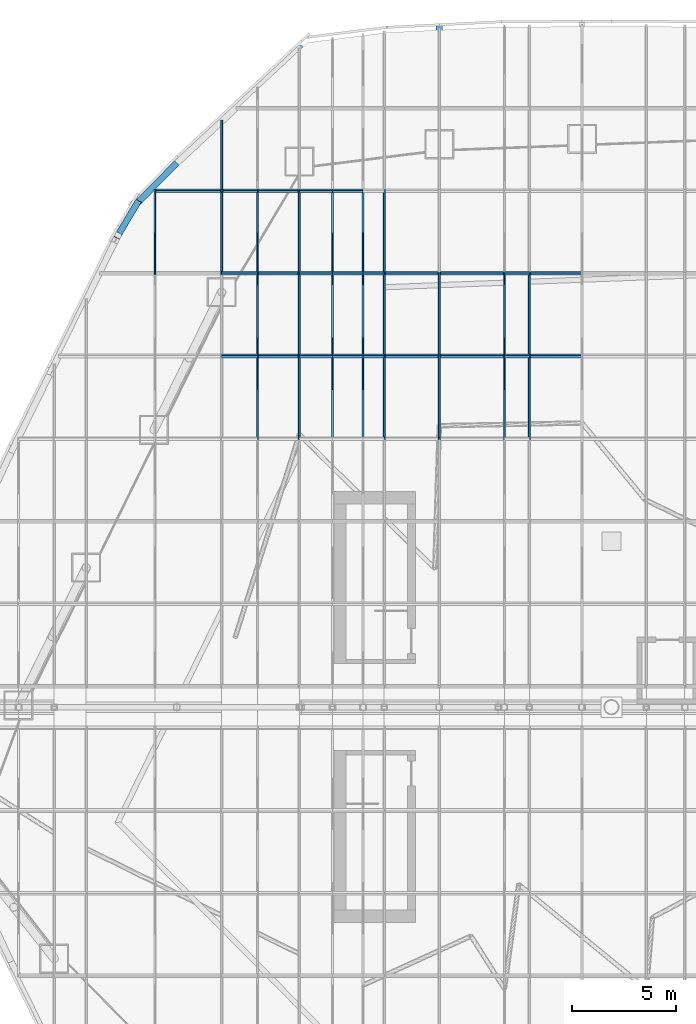
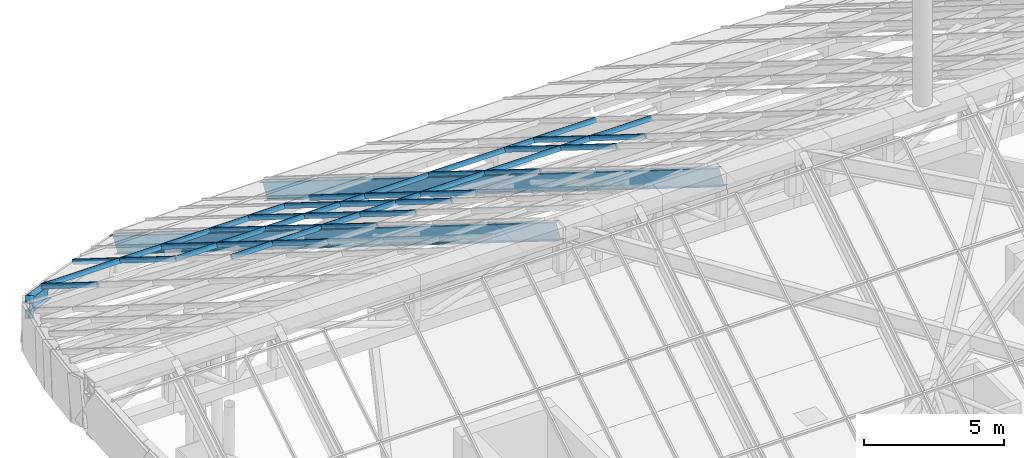
# One storey, part 15 of 38: 51 members, 26 elements without a shape of their own.
"""IFC4 building model written with IfcOpenShell, lengths in metres."""

from ifc_helpers import new_model, si_unit, direction, frame, origin, origin_2d, place, context, subcontext, project, spatial, rectangle, i_section, extrude, material, layer, layer_set, material_profile, profile_set, type_object, element, aggregate, save


model = new_model("IFC4")

# Units and contexts
model_context = context("Model", 3, precision=1e-05, world=origin(), true_north=direction((0.0, 1.0)))
body_context = subcontext(model_context, "Body", "Model", "MODEL_VIEW")
ifc_project = project(units=[si_unit("LENGTHUNIT", "METRE"), si_unit("AREAUNIT", "SQUARE_METRE"), si_unit("VOLUMEUNIT", "CUBIC_METRE"), si_unit("PLANEANGLEUNIT", "RADIAN"), si_unit("MASSUNIT", "GRAM", prefix="KILO")], contexts=[model_context])

# Site, building, storey
site_placement = place(None, origin())
site = spatial("IfcSite", under=ifc_project, at=site_placement, CompositionType="ELEMENT")
building_placement = place(site_placement, origin())
building = spatial("IfcBuilding", under=site, at=building_placement, Name="Dongbaek Canopy Tower", CompositionType="ELEMENT")
storey_placement = place(building_placement, frame((0.0, 0.0, 375.800048828125)))
storey = spatial("IfcBuildingStorey", under=building, at=storey_placement, Name="Roof", CompositionType="ELEMENT", Elevation=375.800048828125)

# Curtain wall, member
ifc_material_1 = material(Name="Aluminium 6063-T6 pale anodised", Category="aluminium")
ifc_layer = layer(ifc_material_1, 0.199951171875)
ifc_layer_set = layer_set([ifc_layer], Name="CW-6 canopy glazing curtain wall")
curtain_wall_type = type_object("IfcCurtainWallType", Name="CW-6 canopy glazing curtain wall", PredefinedType="NOTDEFINED", material=ifc_layer_set)
curtain_wall_1_placement = place(storey_placement, origin())
curtain_wall_1 = element("IfcCurtainWall", 1, at=curtain_wall_1_placement, inside=storey, type_object=curtain_wall_type, Name="CW-6 canopy glazing north 5.6", PredefinedType="NOTDEFINED")
ifc_material_2 = material(Name="Aluminium 6063-T6 pale anodised", Category="aluminium")
ifc_material_profile_1 = material_profile(ifc_material_2, rectangle(XDim=0.080078125, YDim=0.199951171875, at=origin_2d()), Name="CW-6 mullion 80 x 200")
ifc_profile_set_1 = profile_set([ifc_material_profile_1], Name="Aluminium 6063-T6 pale anodised")
member_type_1 = type_object("IfcMemberType", Name="CW-6 mullion 80 x 200", PredefinedType="MULLION", material=ifc_profile_set_1)
member_1_placement = place(storey_placement, frame((-22.031005859375, 20.93115234375, 5.64453125), z_axis=(0.0, 0.848030400431, -0.529947582262), x_axis=(-1.0, 0.0, 0.0)))
member_1 = element("IfcMember", 2, at=member_1_placement, type_object=member_type_1, Name="CW-6 mullion N5.6.-22.0", PredefinedType="MULLION", context=body_context, shape_type="SweptSolid", body=[
    extrude(rectangle(XDim=0.080078125, YDim=0.199951171875, at=origin_2d()), origin(), (0.0, 0.0, 1.0), 4.700439453125),
])
aggregate(curtain_wall_1, [member_1])

curtain_wall_2_placement = place(storey_placement, origin())
curtain_wall_2 = element("IfcCurtainWall", 3, at=curtain_wall_2_placement, inside=storey, type_object=curtain_wall_type, Name="CW-6 canopy glazing north 6.6", PredefinedType="NOTDEFINED")
member_2_placement = place(storey_placement, frame((-18.805908203125, 20.93115234375, 5.64453125), z_axis=(0.0, 0.848030400431, -0.529947582262), x_axis=(-1.0, 0.0, 0.0)))
member_2 = element("IfcMember", 4, at=member_2_placement, type_object=member_type_1, Name="CW-6 mullion N6.6.-18.8", PredefinedType="MULLION", context=body_context, shape_type="SweptSolid", body=[
    extrude(rectangle(XDim=0.080078125, YDim=0.199951171875, at=origin_2d()), origin(), (0.0, 0.0, 1.0), 4.700439453125),
])

curtain_wall_3_placement = place(storey_placement, origin())
curtain_wall_3 = element("IfcCurtainWall", 5, at=curtain_wall_3_placement, inside=storey, type_object=curtain_wall_type, Name="CW-6 canopy glazing north 6.7", PredefinedType="NOTDEFINED")
member_3_placement = place(storey_placement, frame((-18.805908203125, 24.917236328125, 3.153564453125), z_axis=(0.0, 0.848050316017, -0.529915711697), x_axis=(-1.0, 0.0, 0.0)))
member_3 = element("IfcMember", 6, at=member_3_placement, type_object=member_type_1, Name="CW-6 mullion N6.7.-18.8", PredefinedType="MULLION", context=body_context, shape_type="SweptSolid", body=[
    extrude(rectangle(XDim=0.080078125, YDim=0.199951171875, at=origin_2d()), origin(), (0.0, 0.0, 1.0), 3.955322265625),
])
aggregate(curtain_wall_3, [member_3])

curtain_wall_4_placement = place(storey_placement, origin())
curtain_wall_4 = element("IfcCurtainWall", 7, at=curtain_wall_4_placement, inside=storey, type_object=curtain_wall_type, Name="CW-6 canopy glazing north 7.4", PredefinedType="NOTDEFINED")
member_4_placement = place(storey_placement, frame((-17.083984375, 12.958740234375, 10.626220703125), z_axis=(0.0, 0.848030400431, -0.529947582262), x_axis=(-1.0, 0.0, 0.0)))
member_4 = element("IfcMember", 8, at=member_4_placement, type_object=member_type_1, Name="CW-6 mullion N7.4.-17.1", PredefinedType="MULLION", context=body_context, shape_type="SweptSolid", body=[
    extrude(rectangle(XDim=0.080078125, YDim=0.199951171875, at=origin_2d()), origin(), (0.0, 0.0, 1.0), 4.700439453125),
])

curtain_wall_5_placement = place(storey_placement, origin())
curtain_wall_5 = element("IfcCurtainWall", 9, at=curtain_wall_5_placement, inside=storey, type_object=curtain_wall_type, Name="CW-6 canopy glazing north 7.5", PredefinedType="NOTDEFINED")
member_5_placement = place(storey_placement, frame((-17.083984375, 16.94482421875, 8.13525390625), z_axis=(0.0, 0.848068327403, -0.529886886095), x_axis=(-1.0, 0.0, 0.0)))
member_5 = element("IfcMember", 10, at=member_5_placement, type_object=member_type_1, Name="CW-6 mullion N7.5.-17.1", PredefinedType="MULLION", context=body_context, shape_type="SweptSolid", body=[
    extrude(rectangle(XDim=0.080078125, YDim=0.199951171875, at=origin_2d()), origin(), (0.0, 0.0, 1.0), 4.700439453125),
])

curtain_wall_6_placement = place(storey_placement, origin())
curtain_wall_6 = element("IfcCurtainWall", 11, at=curtain_wall_6_placement, inside=storey, type_object=curtain_wall_type, Name="CW-6 canopy glazing north 7.6", PredefinedType="NOTDEFINED")
member_6_placement = place(storey_placement, frame((-17.083984375, 20.93115234375, 5.64453125), z_axis=(0.0, 0.848030400431, -0.529947582262), x_axis=(-1.0, 0.0, 0.0)))
member_6 = element("IfcMember", 12, at=member_6_placement, type_object=member_type_1, Name="CW-6 mullion N7.6.-17.1", PredefinedType="MULLION", context=body_context, shape_type="SweptSolid", body=[
    extrude(rectangle(XDim=0.080078125, YDim=0.199951171875, at=origin_2d()), origin(), (0.0, 0.0, 1.0), 4.700439453125),
])

curtain_wall_7_placement = place(storey_placement, origin())
curtain_wall_7 = element("IfcCurtainWall", 13, at=curtain_wall_7_placement, inside=storey, type_object=curtain_wall_type, Name="CW-6 canopy glazing north 8.4", PredefinedType="NOTDEFINED")
member_7_placement = place(storey_placement, frame((-15.06201171875, 12.958740234375, 10.626220703125), z_axis=(0.0, 0.848030400431, -0.529947582262), x_axis=(-1.0, 0.0, 0.0)))
member_7 = element("IfcMember", 14, at=member_7_placement, type_object=member_type_1, Name="CW-6 mullion N8.4.-15.1", PredefinedType="MULLION", context=body_context, shape_type="SweptSolid", body=[
    extrude(rectangle(XDim=0.080078125, YDim=0.199951171875, at=origin_2d()), origin(), (0.0, 0.0, 1.0), 4.700439453125),
])

curtain_wall_8_placement = place(storey_placement, origin())
curtain_wall_8 = element("IfcCurtainWall", 15, at=curtain_wall_8_placement, inside=storey, type_object=curtain_wall_type, Name="CW-6 canopy glazing north 8.5", PredefinedType="NOTDEFINED")
member_8_placement = place(storey_placement, frame((-15.06201171875, 16.94482421875, 8.13525390625), z_axis=(0.0, 0.848068327403, -0.529886886095), x_axis=(-1.0, 0.0, 0.0)))
member_8 = element("IfcMember", 16, at=member_8_placement, type_object=member_type_1, Name="CW-6 mullion N8.5.-15.1", PredefinedType="MULLION", context=body_context, shape_type="SweptSolid", body=[
    extrude(rectangle(XDim=0.080078125, YDim=0.199951171875, at=origin_2d()), origin(), (0.0, 0.0, 1.0), 4.700439453125),
])

curtain_wall_9_placement = place(storey_placement, origin())
curtain_wall_9 = element("IfcCurtainWall", 17, at=curtain_wall_9_placement, inside=storey, type_object=curtain_wall_type, Name="CW-6 canopy glazing north 8.6", PredefinedType="NOTDEFINED")
member_9_placement = place(storey_placement, frame((-15.06201171875, 20.93115234375, 5.64453125), z_axis=(0.0, 0.848030400431, -0.529947582262), x_axis=(-1.0, 0.0, 0.0)))
member_9 = element("IfcMember", 18, at=member_9_placement, type_object=member_type_1, Name="CW-6 mullion N8.6.-15.1", PredefinedType="MULLION", context=body_context, shape_type="SweptSolid", body=[
    extrude(rectangle(XDim=0.080078125, YDim=0.199951171875, at=origin_2d()), origin(), (0.0, 0.0, 1.0), 4.700439453125),
])

curtain_wall_10_placement = place(storey_placement, origin())
curtain_wall_10 = element("IfcCurtainWall", 19, at=curtain_wall_10_placement, inside=storey, type_object=curtain_wall_type, Name="CW-6 canopy glazing north 9.4", PredefinedType="NOTDEFINED")
member_10_placement = place(storey_placement, frame((-13.464599609375, 12.958740234375, 10.626220703125), z_axis=(0.0, 0.848030400431, -0.529947582262), x_axis=(-1.0, 0.0, 0.0)))
member_10 = element("IfcMember", 20, at=member_10_placement, type_object=member_type_1, Name="CW-6 mullion N9.4.-13.5", PredefinedType="MULLION", context=body_context, shape_type="SweptSolid", body=[
    extrude(rectangle(XDim=0.080078125, YDim=0.199951171875, at=origin_2d()), origin(), (0.0, 0.0, 1.0), 4.700439453125),
])

curtain_wall_11_placement = place(storey_placement, origin())
curtain_wall_11 = element("IfcCurtainWall", 21, at=curtain_wall_11_placement, inside=storey, type_object=curtain_wall_type, Name="CW-6 canopy glazing north 9.5", PredefinedType="NOTDEFINED")
member_11_placement = place(storey_placement, frame((-13.464599609375, 16.94482421875, 8.13525390625), z_axis=(0.0, 0.848068327403, -0.529886886095), x_axis=(-1.0, 0.0, 0.0)))
member_11 = element("IfcMember", 22, at=member_11_placement, type_object=member_type_1, Name="CW-6 mullion N9.5.-13.5", PredefinedType="MULLION", context=body_context, shape_type="SweptSolid", body=[
    extrude(rectangle(XDim=0.080078125, YDim=0.199951171875, at=origin_2d()), origin(), (0.0, 0.0, 1.0), 4.700439453125),
])

curtain_wall_12_placement = place(storey_placement, origin())
curtain_wall_12 = element("IfcCurtainWall", 23, at=curtain_wall_12_placement, inside=storey, type_object=curtain_wall_type, Name="CW-6 canopy glazing north 9.6", PredefinedType="NOTDEFINED")
member_12_placement = place(storey_placement, frame((-13.464599609375, 20.93115234375, 5.64453125), z_axis=(0.0, 0.848030400431, -0.529947582262), x_axis=(-1.0, 0.0, 0.0)))
member_12 = element("IfcMember", 24, at=member_12_placement, type_object=member_type_1, Name="CW-6 mullion N9.6.-13.5", PredefinedType="MULLION", context=body_context, shape_type="SweptSolid", body=[
    extrude(rectangle(XDim=0.080078125, YDim=0.199951171875, at=origin_2d()), origin(), (0.0, 0.0, 1.0), 4.700439453125),
])

curtain_wall_13_placement = place(storey_placement, origin())
curtain_wall_13 = element("IfcCurtainWall", 25, at=curtain_wall_13_placement, inside=storey, type_object=curtain_wall_type, Name="CW-6 canopy glazing north 10.4", PredefinedType="NOTDEFINED")
member_13_placement = place(storey_placement, frame((-11.985107421875, 12.958740234375, 10.626220703125), z_axis=(0.0, 0.848030400431, -0.529947582262), x_axis=(-1.0, 0.0, 0.0)))
member_13 = element("IfcMember", 26, at=member_13_placement, type_object=member_type_1, Name="CW-6 mullion N10.4.-12.0", PredefinedType="MULLION", context=body_context, shape_type="SweptSolid", body=[
    extrude(rectangle(XDim=0.080078125, YDim=0.199951171875, at=origin_2d()), origin(), (0.0, 0.0, 1.0), 4.700439453125),
])

curtain_wall_14_placement = place(storey_placement, origin())
curtain_wall_14 = element("IfcCurtainWall", 27, at=curtain_wall_14_placement, inside=storey, type_object=curtain_wall_type, Name="CW-6 canopy glazing north 10.5", PredefinedType="NOTDEFINED")
member_14_placement = place(storey_placement, frame((-11.985107421875, 16.94482421875, 8.13525390625), z_axis=(0.0, 0.848068327403, -0.529886886095), x_axis=(-1.0, 0.0, 0.0)))
member_14 = element("IfcMember", 28, at=member_14_placement, type_object=member_type_1, Name="CW-6 mullion N10.5.-12.0", PredefinedType="MULLION", context=body_context, shape_type="SweptSolid", body=[
    extrude(rectangle(XDim=0.080078125, YDim=0.199951171875, at=origin_2d()), origin(), (0.0, 0.0, 1.0), 4.700439453125),
])

curtain_wall_15_placement = place(storey_placement, origin())
curtain_wall_15 = element("IfcCurtainWall", 29, at=curtain_wall_15_placement, inside=storey, type_object=curtain_wall_type, Name="CW-6 canopy glazing north 10.6", PredefinedType="NOTDEFINED")
member_15_placement = place(storey_placement, frame((-11.985107421875, 20.93115234375, 5.64453125), z_axis=(0.0, 0.848030400431, -0.529947582262), x_axis=(-1.0, 0.0, 0.0)))
member_15 = element("IfcMember", 30, at=member_15_placement, type_object=member_type_1, Name="CW-6 mullion N10.6.-12.0", PredefinedType="MULLION", context=body_context, shape_type="SweptSolid", body=[
    extrude(rectangle(XDim=0.080078125, YDim=0.199951171875, at=origin_2d()), origin(), (0.0, 0.0, 1.0), 4.700439453125),
])

curtain_wall_16_placement = place(storey_placement, origin())
curtain_wall_16 = element("IfcCurtainWall", 31, at=curtain_wall_16_placement, inside=storey, type_object=curtain_wall_type, Name="CW-6 canopy glazing north 11.4", PredefinedType="NOTDEFINED")
member_16_placement = place(storey_placement, frame((-10.964599609375, 12.958740234375, 10.626220703125), z_axis=(0.0, 0.848030400431, -0.529947582262), x_axis=(-1.0, 0.0, 0.0)))
member_16 = element("IfcMember", 32, at=member_16_placement, type_object=member_type_1, Name="CW-6 mullion N11.4.-11.0", PredefinedType="MULLION", context=body_context, shape_type="SweptSolid", body=[
    extrude(rectangle(XDim=0.080078125, YDim=0.199951171875, at=origin_2d()), origin(), (0.0, 0.0, 1.0), 4.700439453125),
])

curtain_wall_17_placement = place(storey_placement, origin())
curtain_wall_17 = element("IfcCurtainWall", 33, at=curtain_wall_17_placement, inside=storey, type_object=curtain_wall_type, Name="CW-6 canopy glazing north 11.5", PredefinedType="NOTDEFINED")
member_17_placement = place(storey_placement, frame((-10.964599609375, 16.94482421875, 8.13525390625), z_axis=(0.0, 0.848068327403, -0.529886886095), x_axis=(-1.0, 0.0, 0.0)))
member_17 = element("IfcMember", 34, at=member_17_placement, type_object=member_type_1, Name="CW-6 mullion N11.5.-11.0", PredefinedType="MULLION", context=body_context, shape_type="SweptSolid", body=[
    extrude(rectangle(XDim=0.080078125, YDim=0.199951171875, at=origin_2d()), origin(), (0.0, 0.0, 1.0), 4.700439453125),
])

curtain_wall_18_placement = place(storey_placement, origin())
curtain_wall_18 = element("IfcCurtainWall", 35, at=curtain_wall_18_placement, inside=storey, type_object=curtain_wall_type, Name="CW-6 canopy glazing north 11.6", PredefinedType="NOTDEFINED")
member_18_placement = place(storey_placement, frame((-10.964599609375, 20.93115234375, 5.64453125), z_axis=(0.0, 0.848030400431, -0.529947582262), x_axis=(-1.0, 0.0, 0.0)))
member_18 = element("IfcMember", 36, at=member_18_placement, type_object=member_type_1, Name="CW-6 mullion N11.6.-11.0", PredefinedType="MULLION", context=body_context, shape_type="SweptSolid", body=[
    extrude(rectangle(XDim=0.080078125, YDim=0.199951171875, at=origin_2d()), origin(), (0.0, 0.0, 1.0), 4.700439453125),
])
aggregate(curtain_wall_18, [member_18])

curtain_wall_19_placement = place(storey_placement, origin())
curtain_wall_19 = element("IfcCurtainWall", 37, at=curtain_wall_19_placement, inside=storey, type_object=curtain_wall_type, Name="CW-6 canopy glazing north 12.4", PredefinedType="NOTDEFINED")
member_19_placement = place(storey_placement, frame((-8.30908203125, 12.958740234375, 10.626220703125), z_axis=(0.0, 0.848030400431, -0.529947582262), x_axis=(-1.0, 0.0, 0.0)))
member_19 = element("IfcMember", 38, at=member_19_placement, type_object=member_type_1, Name="CW-6 mullion N12.4.-8.3", PredefinedType="MULLION", context=body_context, shape_type="SweptSolid", body=[
    extrude(rectangle(XDim=0.080078125, YDim=0.199951171875, at=origin_2d()), origin(), (0.0, 0.0, 1.0), 4.700439453125),
])

curtain_wall_20_placement = place(storey_placement, origin())
curtain_wall_20 = element("IfcCurtainWall", 39, at=curtain_wall_20_placement, inside=storey, type_object=curtain_wall_type, Name="CW-6 canopy glazing north 12.5", PredefinedType="NOTDEFINED")
member_20_placement = place(storey_placement, frame((-8.30908203125, 16.94482421875, 8.13525390625), z_axis=(0.0, 0.848068327403, -0.529886886095), x_axis=(-1.0, 0.0, 0.0)))
member_20 = element("IfcMember", 40, at=member_20_placement, type_object=member_type_1, Name="CW-6 mullion N12.5.-8.3", PredefinedType="MULLION", context=body_context, shape_type="SweptSolid", body=[
    extrude(rectangle(XDim=0.080078125, YDim=0.199951171875, at=origin_2d()), origin(), (0.0, 0.0, 1.0), 4.700439453125),
])

curtain_wall_21_placement = place(storey_placement, origin())
curtain_wall_21 = element("IfcCurtainWall", 41, at=curtain_wall_21_placement, inside=storey, type_object=curtain_wall_type, Name="CW-6 canopy glazing north 13.4", PredefinedType="NOTDEFINED")
member_21_placement = place(storey_placement, frame((-5.166015625, 12.958740234375, 10.626220703125), z_axis=(0.0, 0.848030400431, -0.529947582262), x_axis=(-1.0, 0.0, 0.0)))
member_21 = element("IfcMember", 42, at=member_21_placement, type_object=member_type_1, Name="CW-6 mullion N13.4.-5.2", PredefinedType="MULLION", context=body_context, shape_type="SweptSolid", body=[
    extrude(rectangle(XDim=0.080078125, YDim=0.199951171875, at=origin_2d()), origin(), (0.0, 0.0, 1.0), 4.700439453125),
])

curtain_wall_22_placement = place(storey_placement, origin())
curtain_wall_22 = element("IfcCurtainWall", 43, at=curtain_wall_22_placement, inside=storey, type_object=curtain_wall_type, Name="CW-6 canopy glazing north 13.5", PredefinedType="NOTDEFINED")
member_22_placement = place(storey_placement, frame((-5.166015625, 16.94482421875, 8.13525390625), z_axis=(0.0, 0.848068327403, -0.529886886095), x_axis=(-1.0, 0.0, 0.0)))
member_22 = element("IfcMember", 44, at=member_22_placement, type_object=member_type_1, Name="CW-6 mullion N13.5.-5.2", PredefinedType="MULLION", context=body_context, shape_type="SweptSolid", body=[
    extrude(rectangle(XDim=0.080078125, YDim=0.199951171875, at=origin_2d()), origin(), (0.0, 0.0, 1.0), 4.700439453125),
])

curtain_wall_23_placement = place(storey_placement, origin())
curtain_wall_23 = element("IfcCurtainWall", 45, at=curtain_wall_23_placement, inside=storey, type_object=curtain_wall_type, Name="CW-6 canopy glazing north 14.4", PredefinedType="NOTDEFINED")
member_23_placement = place(storey_placement, frame((-3.964599609375, 12.958740234375, 10.626220703125), z_axis=(0.0, 0.848030400431, -0.529947582262), x_axis=(-1.0, 0.0, 0.0)))
member_23 = element("IfcMember", 46, at=member_23_placement, type_object=member_type_1, Name="CW-6 mullion N14.4.-4.0", PredefinedType="MULLION", context=body_context, shape_type="SweptSolid", body=[
    extrude(rectangle(XDim=0.080078125, YDim=0.199951171875, at=origin_2d()), origin(), (0.0, 0.0, 1.0), 4.700439453125),
])

curtain_wall_24_placement = place(storey_placement, origin())
curtain_wall_24 = element("IfcCurtainWall", 47, at=curtain_wall_24_placement, inside=storey, type_object=curtain_wall_type, Name="CW-6 canopy glazing north 14.5", PredefinedType="NOTDEFINED")
member_24_placement = place(storey_placement, frame((-3.964599609375, 16.94482421875, 8.13525390625), z_axis=(0.0, 0.848068327403, -0.529886886095), x_axis=(-1.0, 0.0, 0.0)))
member_24 = element("IfcMember", 48, at=member_24_placement, type_object=member_type_1, Name="CW-6 mullion N14.5.-4.0", PredefinedType="MULLION", context=body_context, shape_type="SweptSolid", body=[
    extrude(rectangle(XDim=0.080078125, YDim=0.199951171875, at=origin_2d()), origin(), (0.0, 0.0, 1.0), 4.700439453125),
])

# Member
ifc_material_3 = material(Name="Aluminium 6063-T6 pale anodised", Category="aluminium")
ifc_material_profile_2 = material_profile(ifc_material_3, rectangle(XDim=0.080078125, YDim=0.199951171875, at=origin_2d()), Name="CW-6 transom 80 x 200")
ifc_profile_set_2 = profile_set([ifc_material_profile_2], Name="Aluminium 6063-T6 pale anodised")
member_type_2 = type_object("IfcMemberType", Name="CW-6 transom 80 x 200", PredefinedType="USERDEFINED", material=ifc_profile_set_2)
member_25_placement = place(storey_placement, frame((-22.031005859375, 24.917236328125, 3.153564453125), z_axis=(1.0, 0.0, 0.0), x_axis=(0.0, 0.848048096156, -0.529919264233)))
member_25 = element("IfcMember", 49, at=member_25_placement, type_object=member_type_2, Name="CW-6 transom N6.6.7", ObjectType="TRANSOM", PredefinedType="USERDEFINED", context=body_context, shape_type="SweptSolid", body=[
    extrude(rectangle(XDim=0.080078125, YDim=0.199951171875, at=origin_2d()), origin(), (0.0, 0.0, 1.0), 3.22509765625),
])

aggregate(curtain_wall_2, [member_2, member_25])

member_26_placement = place(storey_placement, frame((-18.805908203125, 16.94482421875, 8.13525390625), z_axis=(1.0, 0.0, 0.0), x_axis=(0.0, 0.848048096156, -0.529919264233)))
member_26 = element("IfcMember", 50, at=member_26_placement, type_object=member_type_2, Name="CW-6 transom N7.4.5", ObjectType="TRANSOM", PredefinedType="USERDEFINED", context=body_context, shape_type="SweptSolid", body=[
    extrude(rectangle(XDim=0.080078125, YDim=0.199951171875, at=origin_2d()), origin(), (0.0, 0.0, 1.0), 1.721923828125),
])

aggregate(curtain_wall_4, [member_4, member_26])

member_27_placement = place(storey_placement, frame((-18.805908203125, 20.93115234375, 5.64453125), z_axis=(1.0, 0.0, 0.0), x_axis=(0.0, 0.848048096156, -0.529919264233)))
member_27 = element("IfcMember", 51, at=member_27_placement, type_object=member_type_2, Name="CW-6 transom N7.5.6", ObjectType="TRANSOM", PredefinedType="USERDEFINED", context=body_context, shape_type="SweptSolid", body=[
    extrude(rectangle(XDim=0.080078125, YDim=0.199951171875, at=origin_2d()), origin(), (0.0, 0.0, 1.0), 1.721923828125),
])

aggregate(curtain_wall_5, [member_5, member_27])

member_28_placement = place(storey_placement, frame((-18.805908203125, 24.917236328125, 3.153564453125), z_axis=(1.0, 0.0, 0.0), x_axis=(0.0, 0.848048096156, -0.529919264233)))
member_28 = element("IfcMember", 52, at=member_28_placement, type_object=member_type_2, Name="CW-6 transom N7.6.7", ObjectType="TRANSOM", PredefinedType="USERDEFINED", context=body_context, shape_type="SweptSolid", body=[
    extrude(rectangle(XDim=0.080078125, YDim=0.199951171875, at=origin_2d()), origin(), (0.0, 0.0, 1.0), 1.721923828125),
])

aggregate(curtain_wall_6, [member_6, member_28])

member_29_placement = place(storey_placement, frame((-17.083984375, 16.94482421875, 8.13525390625), z_axis=(1.0, 0.0, 0.0), x_axis=(0.0, 0.848048096156, -0.529919264233)))
member_29 = element("IfcMember", 53, at=member_29_placement, type_object=member_type_2, Name="CW-6 transom N8.4.5", ObjectType="TRANSOM", PredefinedType="USERDEFINED", context=body_context, shape_type="SweptSolid", body=[
    extrude(rectangle(XDim=0.080078125, YDim=0.199951171875, at=origin_2d()), origin(), (0.0, 0.0, 1.0), 2.02197265625),
])

aggregate(curtain_wall_7, [member_7, member_29])

member_30_placement = place(storey_placement, frame((-17.083984375, 20.93115234375, 5.64453125), z_axis=(1.0, 0.0, 0.0), x_axis=(0.0, 0.848048096156, -0.529919264233)))
member_30 = element("IfcMember", 54, at=member_30_placement, type_object=member_type_2, Name="CW-6 transom N8.5.6", ObjectType="TRANSOM", PredefinedType="USERDEFINED", context=body_context, shape_type="SweptSolid", body=[
    extrude(rectangle(XDim=0.080078125, YDim=0.199951171875, at=origin_2d()), origin(), (0.0, 0.0, 1.0), 2.02197265625),
])

aggregate(curtain_wall_8, [member_8, member_30])

member_31_placement = place(storey_placement, frame((-17.083984375, 24.917236328125, 3.153564453125), z_axis=(1.0, 0.0, 0.0), x_axis=(0.0, 0.848048096156, -0.529919264233)))
member_31 = element("IfcMember", 55, at=member_31_placement, type_object=member_type_2, Name="CW-6 transom N8.6.7", ObjectType="TRANSOM", PredefinedType="USERDEFINED", context=body_context, shape_type="SweptSolid", body=[
    extrude(rectangle(XDim=0.080078125, YDim=0.199951171875, at=origin_2d()), origin(), (0.0, 0.0, 1.0), 2.02197265625),
])

aggregate(curtain_wall_9, [member_9, member_31])

member_32_placement = place(storey_placement, frame((-15.06201171875, 16.94482421875, 8.13525390625), z_axis=(1.0, 0.0, 0.0), x_axis=(0.0, 0.848048096156, -0.529919264233)))
member_32 = element("IfcMember", 56, at=member_32_placement, type_object=member_type_2, Name="CW-6 transom N9.4.5", ObjectType="TRANSOM", PredefinedType="USERDEFINED", context=body_context, shape_type="SweptSolid", body=[
    extrude(rectangle(XDim=0.080078125, YDim=0.199951171875, at=origin_2d()), origin(), (0.0, 0.0, 1.0), 1.597412109375),
])

aggregate(curtain_wall_10, [member_10, member_32])

member_33_placement = place(storey_placement, frame((-15.06201171875, 20.93115234375, 5.64453125), z_axis=(1.0, 0.0, 0.0), x_axis=(0.0, 0.848048096156, -0.529919264233)))
member_33 = element("IfcMember", 57, at=member_33_placement, type_object=member_type_2, Name="CW-6 transom N9.5.6", ObjectType="TRANSOM", PredefinedType="USERDEFINED", context=body_context, shape_type="SweptSolid", body=[
    extrude(rectangle(XDim=0.080078125, YDim=0.199951171875, at=origin_2d()), origin(), (0.0, 0.0, 1.0), 1.597412109375),
])

aggregate(curtain_wall_11, [member_11, member_33])

member_34_placement = place(storey_placement, frame((-15.06201171875, 24.917236328125, 3.153564453125), z_axis=(1.0, 0.0, 0.0), x_axis=(0.0, 0.848048096156, -0.529919264233)))
member_34 = element("IfcMember", 58, at=member_34_placement, type_object=member_type_2, Name="CW-6 transom N9.6.7", ObjectType="TRANSOM", PredefinedType="USERDEFINED", context=body_context, shape_type="SweptSolid", body=[
    extrude(rectangle(XDim=0.080078125, YDim=0.199951171875, at=origin_2d()), origin(), (0.0, 0.0, 1.0), 1.597412109375),
])

aggregate(curtain_wall_12, [member_12, member_34])

member_35_placement = place(storey_placement, frame((-13.464599609375, 16.94482421875, 8.13525390625), z_axis=(1.0, 0.0, 0.0), x_axis=(0.0, 0.848048096156, -0.529919264233)))
member_35 = element("IfcMember", 59, at=member_35_placement, type_object=member_type_2, Name="CW-6 transom N10.4.5", ObjectType="TRANSOM", PredefinedType="USERDEFINED", context=body_context, shape_type="SweptSolid", body=[
    extrude(rectangle(XDim=0.080078125, YDim=0.199951171875, at=origin_2d()), origin(), (0.0, 0.0, 1.0), 1.4794921875),
])

aggregate(curtain_wall_13, [member_13, member_35])

member_36_placement = place(storey_placement, frame((-13.464599609375, 20.93115234375, 5.64453125), z_axis=(1.0, 0.0, 0.0), x_axis=(0.0, 0.848048096156, -0.529919264233)))
member_36 = element("IfcMember", 60, at=member_36_placement, type_object=member_type_2, Name="CW-6 transom N10.5.6", ObjectType="TRANSOM", PredefinedType="USERDEFINED", context=body_context, shape_type="SweptSolid", body=[
    extrude(rectangle(XDim=0.080078125, YDim=0.199951171875, at=origin_2d()), origin(), (0.0, 0.0, 1.0), 1.4794921875),
])

aggregate(curtain_wall_14, [member_14, member_36])

member_37_placement = place(storey_placement, frame((-13.464599609375, 24.917236328125, 3.153564453125), z_axis=(1.0, 0.0, 0.0), x_axis=(0.0, 0.848048096156, -0.529919264233)))
member_37 = element("IfcMember", 61, at=member_37_placement, type_object=member_type_2, Name="CW-6 transom N10.6.7", ObjectType="TRANSOM", PredefinedType="USERDEFINED", context=body_context, shape_type="SweptSolid", body=[
    extrude(rectangle(XDim=0.080078125, YDim=0.199951171875, at=origin_2d()), origin(), (0.0, 0.0, 1.0), 1.4794921875),
])

aggregate(curtain_wall_15, [member_15, member_37])

member_38_placement = place(storey_placement, frame((-11.985107421875, 16.94482421875, 8.13525390625), z_axis=(1.0, 0.0, 0.0), x_axis=(0.0, 0.848048096156, -0.529919264233)))
member_38 = element("IfcMember", 62, at=member_38_placement, type_object=member_type_2, Name="CW-6 transom N11.4.5", ObjectType="TRANSOM", PredefinedType="USERDEFINED", context=body_context, shape_type="SweptSolid", body=[
    extrude(rectangle(XDim=0.080078125, YDim=0.199951171875, at=origin_2d()), origin(), (0.0, 0.0, 1.0), 1.0205078125),
])

aggregate(curtain_wall_16, [member_16, member_38])

member_39_placement = place(storey_placement, frame((-11.985107421875, 20.93115234375, 5.64453125), z_axis=(1.0, 0.0, 0.0), x_axis=(0.0, 0.848048096156, -0.529919264233)))
member_39 = element("IfcMember", 63, at=member_39_placement, type_object=member_type_2, Name="CW-6 transom N11.5.6", ObjectType="TRANSOM", PredefinedType="USERDEFINED", context=body_context, shape_type="SweptSolid", body=[
    extrude(rectangle(XDim=0.080078125, YDim=0.199951171875, at=origin_2d()), origin(), (0.0, 0.0, 1.0), 1.0205078125),
])

aggregate(curtain_wall_17, [member_17, member_39])

member_40_placement = place(storey_placement, frame((-10.964599609375, 16.94482421875, 8.13525390625), z_axis=(1.0, 0.0, 0.0), x_axis=(0.0, 0.848048096156, -0.529919264233)))
member_40 = element("IfcMember", 64, at=member_40_placement, type_object=member_type_2, Name="CW-6 transom N12.4.5", ObjectType="TRANSOM", PredefinedType="USERDEFINED", context=body_context, shape_type="SweptSolid", body=[
    extrude(rectangle(XDim=0.080078125, YDim=0.199951171875, at=origin_2d()), origin(), (0.0, 0.0, 1.0), 2.655517578125),
])

aggregate(curtain_wall_19, [member_19, member_40])

member_41_placement = place(storey_placement, frame((-10.964599609375, 20.93115234375, 5.64453125), z_axis=(1.0, 0.0, 0.0), x_axis=(0.0, 0.848048096156, -0.529919264233)))
member_41 = element("IfcMember", 65, at=member_41_placement, type_object=member_type_2, Name="CW-6 transom N12.5.6", ObjectType="TRANSOM", PredefinedType="USERDEFINED", context=body_context, shape_type="SweptSolid", body=[
    extrude(rectangle(XDim=0.080078125, YDim=0.199951171875, at=origin_2d()), origin(), (0.0, 0.0, 1.0), 2.655517578125),
])

aggregate(curtain_wall_20, [member_20, member_41])

member_42_placement = place(storey_placement, frame((-8.30908203125, 16.94482421875, 8.13525390625), z_axis=(1.0, 0.0, 0.0), x_axis=(0.0, 0.848048096156, -0.529919264233)))
member_42 = element("IfcMember", 66, at=member_42_placement, type_object=member_type_2, Name="CW-6 transom N13.4.5", ObjectType="TRANSOM", PredefinedType="USERDEFINED", context=body_context, shape_type="SweptSolid", body=[
    extrude(rectangle(XDim=0.080078125, YDim=0.199951171875, at=origin_2d()), origin(), (0.0, 0.0, 1.0), 3.14306640625),
])

aggregate(curtain_wall_21, [member_21, member_42])

member_43_placement = place(storey_placement, frame((-8.30908203125, 20.93115234375, 5.64453125), z_axis=(1.0, 0.0, 0.0), x_axis=(0.0, 0.848048096156, -0.529919264233)))
member_43 = element("IfcMember", 67, at=member_43_placement, type_object=member_type_2, Name="CW-6 transom N13.5.6", ObjectType="TRANSOM", PredefinedType="USERDEFINED", context=body_context, shape_type="SweptSolid", body=[
    extrude(rectangle(XDim=0.080078125, YDim=0.199951171875, at=origin_2d()), origin(), (0.0, 0.0, 1.0), 3.14306640625),
])

aggregate(curtain_wall_22, [member_22, member_43])

member_44_placement = place(storey_placement, frame((-5.166015625, 16.94482421875, 8.13525390625), z_axis=(1.0, 0.0, 0.0), x_axis=(0.0, 0.848048096156, -0.529919264233)))
member_44 = element("IfcMember", 68, at=member_44_placement, type_object=member_type_2, Name="CW-6 transom N14.4.5", ObjectType="TRANSOM", PredefinedType="USERDEFINED", context=body_context, shape_type="SweptSolid", body=[
    extrude(rectangle(XDim=0.080078125, YDim=0.199951171875, at=origin_2d()), origin(), (0.0, 0.0, 1.0), 1.201416015625),
])

aggregate(curtain_wall_23, [member_23, member_44])

member_45_placement = place(storey_placement, frame((-5.166015625, 20.93115234375, 5.64453125), z_axis=(1.0, 0.0, 0.0), x_axis=(0.0, 0.848048096156, -0.529919264233)))
member_45 = element("IfcMember", 69, at=member_45_placement, type_object=member_type_2, Name="CW-6 transom N14.5.6", ObjectType="TRANSOM", PredefinedType="USERDEFINED", context=body_context, shape_type="SweptSolid", body=[
    extrude(rectangle(XDim=0.080078125, YDim=0.199951171875, at=origin_2d()), origin(), (0.0, 0.0, 1.0), 1.201416015625),
])

aggregate(curtain_wall_24, [member_24, member_45])

# Curtain wall, member
curtain_wall_25_placement = place(storey_placement, origin())
curtain_wall_25 = element("IfcCurtainWall", 70, at=curtain_wall_25_placement, inside=storey, type_object=curtain_wall_type, Name="CW-6 canopy glazing north 15.4", PredefinedType="NOTDEFINED")
member_46_placement = place(storey_placement, frame((-3.964599609375, 16.94482421875, 8.13525390625), z_axis=(1.0, 0.0, 0.0), x_axis=(0.0, 0.848048096156, -0.529919264233)))
member_46 = element("IfcMember", 71, at=member_46_placement, type_object=member_type_2, Name="CW-6 transom N15.4.5", ObjectType="TRANSOM", PredefinedType="USERDEFINED", context=body_context, shape_type="SweptSolid", body=[
    extrude(rectangle(XDim=0.080078125, YDim=0.199951171875, at=origin_2d()), origin(), (0.0, 0.0, 1.0), 2.546630859375),
])
aggregate(curtain_wall_25, [member_46])

curtain_wall_26_placement = place(storey_placement, origin())
curtain_wall_26 = element("IfcCurtainWall", 72, at=curtain_wall_26_placement, inside=storey, type_object=curtain_wall_type, Name="CW-6 canopy glazing north 15.5", PredefinedType="NOTDEFINED")
member_47_placement = place(storey_placement, frame((-3.964599609375, 20.93115234375, 5.64453125), z_axis=(1.0, 0.0, 0.0), x_axis=(0.0, 0.848048096156, -0.529919264233)))
member_47 = element("IfcMember", 73, at=member_47_placement, type_object=member_type_2, Name="CW-6 transom N15.5.6", ObjectType="TRANSOM", PredefinedType="USERDEFINED", context=body_context, shape_type="SweptSolid", body=[
    extrude(rectangle(XDim=0.080078125, YDim=0.199951171875, at=origin_2d()), origin(), (0.0, 0.0, 1.0), 2.546630859375),
])
aggregate(curtain_wall_26, [member_47])

# Members
ifc_material_4 = material(Name="Steel S355", Category="steel")
ifc_material_profile_3 = material_profile(ifc_material_4, i_section(OverallWidth=0.300048828125, OverallDepth=0.587890625, WebThickness=0.011962890625, FlangeThickness=0.02001953125, FilletRadius=0.028076171875, at=origin_2d()), Name="EAVES BEAM H 588x300x12x20 Steel S355")
ifc_profile_set_3 = profile_set([ifc_material_profile_3], Name="Steel S355")
member_type_3 = type_object("IfcMemberType", Name="EAVES BEAM H 588x300x12x20 Steel S355", PredefinedType="MEMBER", material=ifc_profile_set_3)
member_48_placement = place(storey_placement, frame((-21.057373046875, 26.177978515625, 1.89404296875), z_axis=(-0.641050518342, -0.650890455556, 0.406688883299), x_axis=(0.712471723396, -0.701700821833, 0.0)))
element("IfcMember", 74, at=member_48_placement, inside=storey, type_object=member_type_3, Name="EAVE:53", PredefinedType="MEMBER", context=body_context, shape_type="SweptSolid", body=[
    extrude(i_section(OverallWidth=0.300048828125, OverallDepth=0.587890625, WebThickness=0.011962890625, FlangeThickness=0.02001953125, FilletRadius=0.028076171875, at=origin_2d()), origin(), (0.0, 0.0, 1.0), 2.853271484375),
])
member_49_placement = place(storey_placement, frame((-22.886474609375, 24.32080078125, 3.054443359375), z_axis=(-0.450682075309, -0.757028061141, 0.473068897351), x_axis=(0.85925789479, -0.511542637754, 0.0)))
element("IfcMember", 75, at=member_49_placement, inside=storey, type_object=member_type_3, Name="EAVE:54", PredefinedType="MEMBER", context=body_context, shape_type="SweptSolid", body=[
    extrude(i_section(OverallWidth=0.300048828125, OverallDepth=0.587890625, WebThickness=0.011962890625, FlangeThickness=0.02001953125, FilletRadius=0.028076171875, at=origin_2d()), origin(), (0.0, 0.0, 1.0), 2.072021484375),
])
ifc_material_5 = material(Name="Steel S355", Category="steel")
ifc_material_profile_4 = material_profile(ifc_material_5, i_section(OverallWidth=0.300048828125, OverallDepth=0.699951171875, WebThickness=0.012939453125, FlangeThickness=0.02392578125, FilletRadius=0.028076171875, at=origin_2d()), Name="RAFTER H 700x300x13x24 Steel S355")
ifc_profile_set_4 = profile_set([ifc_material_profile_4], Name="Steel S355")
member_type_4 = type_object("IfcMemberType", Name="RAFTER H 700x300x13x24 Steel S355", PredefinedType="RAFTER", material=ifc_profile_set_4)
member_50_placement = place(storey_placement, frame((-15.06201171875, 31.75341796875, -1.590087890625), z_axis=(0.0, -0.848047386012, 0.529920400701), x_axis=(1.0, 0.0, 0.0)))
element("IfcMember", 76, at=member_50_placement, inside=storey, type_object=member_type_4, Name="RAFTER:16", PredefinedType="RAFTER", context=body_context, shape_type="SweptSolid", body=[
    extrude(i_section(OverallWidth=0.300048828125, OverallDepth=0.699951171875, WebThickness=0.012939453125, FlangeThickness=0.02392578125, FilletRadius=0.028076171875, at=origin_2d()), origin(), (0.0, 0.0, 1.0), 37.44287109375),
])
member_51_placement = place(storey_placement, frame((-8.30908203125, 32.718994140625, -2.193359375), z_axis=(0.0, -0.848048425846, 0.52991873662), x_axis=(1.0, 0.0, 0.0)))
element("IfcMember", 77, at=member_51_placement, inside=storey, type_object=member_type_4, Name="RAFTER:17", PredefinedType="RAFTER", context=body_context, shape_type="SweptSolid", body=[
    extrude(i_section(OverallWidth=0.300048828125, OverallDepth=0.699951171875, WebThickness=0.012939453125, FlangeThickness=0.02392578125, FilletRadius=0.028076171875, at=origin_2d()), origin(), (0.0, 0.0, 1.0), 38.58154296875),
])

save(model, "model.ifc")
